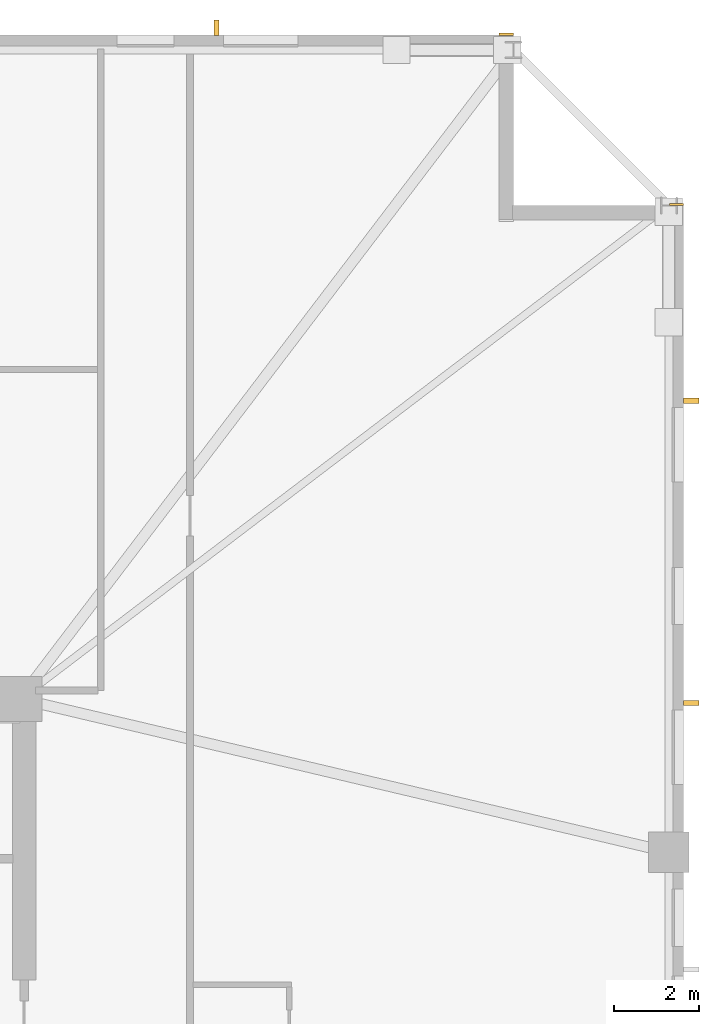
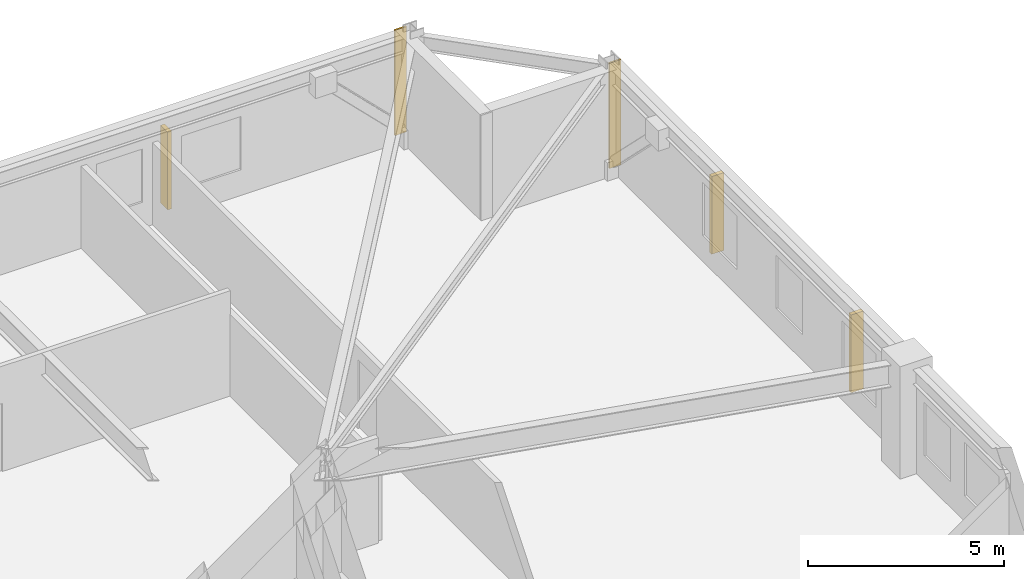
# One storey, part 11 of 11: 3 shading devices, 2 coverings.
"""IFC4 building model written with IfcOpenShell, lengths in metres."""

from ifc_helpers import new_model, si_unit, direction, frame, frame_2d, origin, origin_2d, place, context, subcontext, project, spatial, rectangle, extrude, material, layer, layer_set, type_object, element, save


model = new_model("IFC4")

# Units and contexts
model_context = context("Model", 3, precision=1e-05, world=origin(), true_north=direction((0.0, 1.0)))
body_context = subcontext(model_context, "Body", "Model", "MODEL_VIEW")
ifc_project = project(units=[si_unit("LENGTHUNIT", "METRE"), si_unit("AREAUNIT", "SQUARE_METRE"), si_unit("VOLUMEUNIT", "CUBIC_METRE"), si_unit("PLANEANGLEUNIT", "RADIAN"), si_unit("MASSUNIT", "GRAM", prefix="KILO")], contexts=[model_context])

# Site, building, storey
site_placement = place(None, origin())
site = spatial("IfcSite", under=ifc_project, at=site_placement, CompositionType="ELEMENT")
building_placement = place(site_placement, origin())
building = spatial("IfcBuilding", under=site, at=building_placement, Name="Cairnveth Concourse Tower", CompositionType="ELEMENT")
storey_placement = place(building_placement, frame((0.0, 0.0, 123.5)))
storey = spatial("IfcBuildingStorey", under=building, at=storey_placement, Name="L33", CompositionType="ELEMENT", Elevation=123.5)

# Coverings
ifc_material_1 = material(Name="Dressed Melbourne Bluestone Cladding", Category="masonry")
ifc_layer = layer(ifc_material_1, 0.050048828125)
ifc_layer_set = layer_set([ifc_layer], Name="Dressed Melbourne Bluestone Cladding")
covering_type = type_object("IfcCoveringType", Name="DRESSED BLUESTONE PLINTH CLADDING 50", PredefinedType="CLADDING", material=ifc_layer_set)
for number, where, z_axis, x_axis, name in (
    (1, (71.659912109375, 63.02001953125, 0.0), (0.0, 0.0, 1.0), (1.0, 0.0, 0.0), "Melbourne Bluestone Corner Quoin L33-471"),
    (2, (75.659912109375, 59.02001953125, 0.0), (0.0, 0.0, 1.0), (1.0, 0.0, 0.0), "Melbourne Bluestone Corner Quoin L33-473"),
):
    element("IfcCovering", number, at=place(storey_placement, frame(where, z_axis=z_axis, x_axis=x_axis)), inside=storey, type_object=covering_type, Name=name, PredefinedType="CLADDING", context=body_context, shape_type="SweptSolid", body=[
        extrude(rectangle(XDim=0.340087890625, YDim=0.050048828125, at=frame_2d((0.169921875, 0.0))), origin(), (0.0, 0.0, 1.0), 3.280029296875),
    ])

# Shading devices
ifc_material_2 = material(Name="Architectural Bronze Anodised Aluminium 6063-T6", Category="aluminium")
shading_device_type = type_object("IfcShadingDeviceType", Name="GOTHIC BRONZE VERTICAL LANCET FIN", PredefinedType="USERDEFINED", material=ifc_material_2)
for number, where, z_axis, x_axis, name in (
    (3, (65.020263671875, 63.175048828125, 0.030029296875), (0.0, 0.0, 1.0), (1.0, 0.0, 0.0), "Gothic Bronze Vertical Fin L33-3-9"),
    (4, (76.175048828125, 54.408203125, 0.030029296875), (0.0, 0.0, 1.0), (0.0, 1.0, 0.0), "Gothic Bronze Vertical Fin L33-6-1"),
    (5, (76.175048828125, 47.301025390625, 0.030029296875), (0.0, 0.0, 1.0), (0.0, 1.0, 0.0), "Gothic Bronze Vertical Fin L33-6-3"),
):
    element("IfcShadingDevice", number, at=place(storey_placement, frame(where, z_axis=z_axis, x_axis=x_axis)), inside=storey, type_object=shading_device_type, Name=name, ObjectType="VERTICAL FIN", PredefinedType="USERDEFINED", context=body_context, shape_type="SweptSolid", body=[
        extrude(rectangle(XDim=0.1201171875, YDim=0.360107421875, at=origin_2d()), origin(), (0.0, 0.0, 1.0), 2.419921875),
    ])

save(model, "model.ifc")
